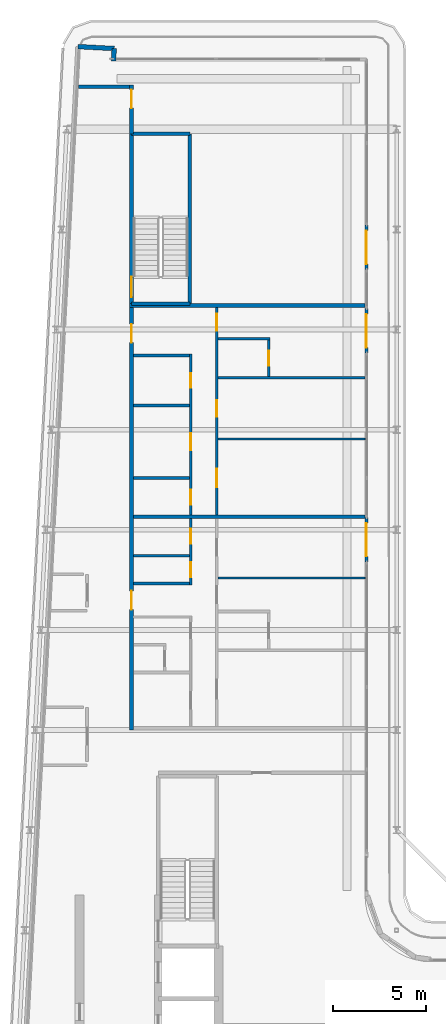
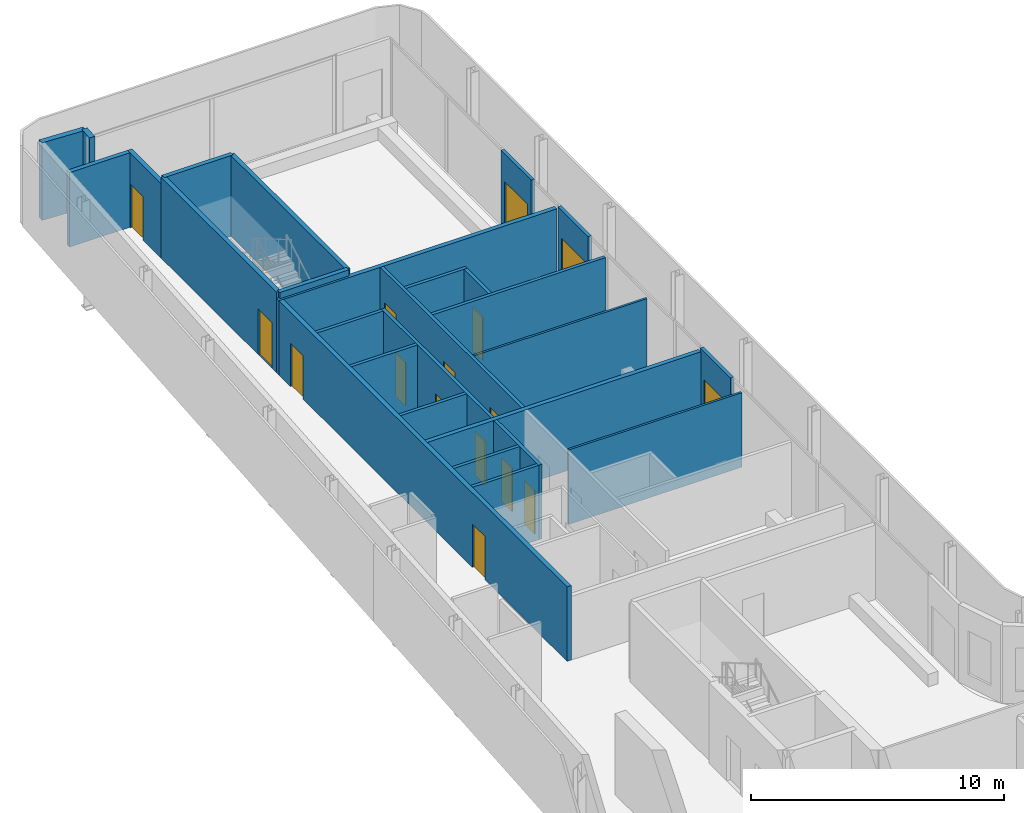
# One storey, part 11 of 19: 27 walls, 16 doors, 16 openings.
"""IFC4 building model written with IfcOpenShell, lengths in metres."""

import ifcopenshell
import ifcopenshell.guid

model = None  # the IFC model being written
_history = None  # IfcOwnerHistory: only IFC2X3 demands one
_inside = {}  # id of a spatial element -> (the spatial element, [elements in it])
_under = {}  # id of a project, library or spatial element -> (it, [spatial elements below it])
_declared = {}  # id of a project -> (the project, [libraries it declares])
_typed = {}  # id of a type object -> (the type object, [elements of that type])
_made_of = {}  # id of a material, layer set ... -> (it, [elements and type objects made of it])


def new_model(schema):
    """Start an empty IFC model of exactly this schema.

    Asked for "IFC4X3", IfcOpenShell would pick the latest addendum, in which some entities
    have other attributes; the version numbers below select the first issue.
    IFC2X3 requires an IfcOwnerHistory on every rooted entity: one is made here for all.
    """
    global model, _history
    if schema == "IFC4X3":
        model = ifcopenshell.file(schema_version=(4, 3, 0, 0))
    else:
        model = ifcopenshell.file(schema=schema)
    _inside.clear()
    _under.clear()
    _declared.clear()
    _typed.clear()
    _made_of.clear()
    _history = None
    if model.schema == "IFC2X3":
        org = make("IfcOrganization", Name="unknown")
        user = make(
            "IfcPersonAndOrganization",
            ThePerson=make("IfcPerson", FamilyName="unknown"),
            TheOrganization=org,
        )
        app = make(
            "IfcApplication",
            ApplicationDeveloper=org,
            Version="unknown",
            ApplicationFullName="unknown",
            ApplicationIdentifier="unknown",
        )
        _history = make(
            "IfcOwnerHistory",
            OwningUser=user,
            OwningApplication=app,
            ChangeAction="ADDED",
            CreationDate=0,
        )
    return model


def make(cls, **values):
    """One entity of the class cls with the attributes given. An attribute that is None is left unset."""
    return model.create_entity(
        cls, **{name: value for name, value in values.items() if value is not None}
    )


def rooted(cls, **values):
    """An entity with a GlobalId (a new one), such as an element, a storey or a relation."""
    return make(cls, GlobalId=ifcopenshell.guid.new(), OwnerHistory=_history, **values)


def si_unit(unit_type, name, prefix=None):
    """IfcSIUnit, for example si_unit("LENGTHUNIT", "METRE", prefix="MILLI")."""
    return make("IfcSIUnit", UnitType=unit_type, Prefix=prefix, Name=name)


def assignment(units):
    """IfcUnitAssignment: the units of a project."""
    return None if units is None else make("IfcUnitAssignment", Units=units)


def point(xyz):
    """IfcCartesianPoint."""
    return None if xyz is None else make("IfcCartesianPoint", Coordinates=xyz)


def direction(xyz):
    """IfcDirection."""
    return None if xyz is None else make("IfcDirection", DirectionRatios=xyz)


def frame(location, z_axis=None, x_axis=None):
    """IfcAxis2Placement3D, a coordinate frame: its origin and axes. An axis left out is left unset."""
    return make(
        "IfcAxis2Placement3D",
        Location=point(location),
        Axis=direction(z_axis),
        RefDirection=direction(x_axis),
    )


def frame_2d(location, x_axis=None):
    """IfcAxis2Placement2D, a coordinate frame in the plane: its origin and x axis."""
    return make(
        "IfcAxis2Placement2D", Location=point(location), RefDirection=direction(x_axis)
    )


def origin():
    """The frame at (0, 0, 0) with its axes left unset."""
    return frame((0.0, 0.0, 0.0))


def place(relative_to, where):
    """IfcLocalPlacement: puts the frame where relative to a parent placement (None: the world)."""
    return make(
        "IfcLocalPlacement", PlacementRelTo=relative_to, RelativePlacement=where
    )


def context(
    kind, dimensions, precision=None, world=None, true_north=None, identifier=None
):
    """IfcGeometricRepresentationContext, for example the 3D "Model" context."""
    return make(
        "IfcGeometricRepresentationContext",
        ContextIdentifier=identifier,
        ContextType=kind,
        CoordinateSpaceDimension=dimensions,
        Precision=precision,
        WorldCoordinateSystem=world,
        TrueNorth=true_north,
    )


def subcontext(parent, identifier, kind, view, scale=None):
    """IfcGeometricRepresentationSubContext, for example "Body" below "Model"."""
    return make(
        "IfcGeometricRepresentationSubContext",
        ContextIdentifier=identifier,
        ContextType=kind,
        ParentContext=parent,
        TargetScale=scale,
        TargetView=view,
    )


def project(units=None, contexts=None):
    """IfcProject with its units and contexts."""
    return rooted(
        "IfcProject",
        Name="project",
        RepresentationContexts=contexts,
        UnitsInContext=assignment(units),
    )


def spatial(cls, under=None, at=None, **own):
    """A site, building, storey or space (cls), placed at a placement, below another one or the project."""
    s = rooted(cls, ObjectPlacement=at, **own)
    if under is not None:
        _under.setdefault(under.id(), (under, []))[1].append(s)
    return s


def profile(cls, at=None, kind="AREA", **sizes):
    """A parametric profile (cls). Its sizes go by their IFC names, for example OverallWidth=200.0."""
    return make(cls, ProfileType=kind, Position=at, **sizes)


def rectangle(**sizes):
    """IfcRectangleProfileDef."""
    return profile("IfcRectangleProfileDef", **sizes)


def extrude(swept, where, along, depth):
    """IfcExtrudedAreaSolid: the profile swept, set in the frame where, extruded along a direction by depth."""
    return make(
        "IfcExtrudedAreaSolid",
        SweptArea=swept,
        Position=where,
        ExtrudedDirection=direction(along),
        Depth=depth,
    )


def shape(context_of_items, identifier, shape_type, items):
    """IfcShapeRepresentation: the items that make up one representation, for example the "Body"."""
    return make(
        "IfcShapeRepresentation",
        ContextOfItems=context_of_items,
        RepresentationIdentifier=identifier,
        RepresentationType=shape_type,
        Items=items,
    )


def source(mapping_origin, context_of_items, identifier, shape_type, items):
    """IfcRepresentationMap: a shape defined once, which mapped items show again and again."""
    return make(
        "IfcRepresentationMap",
        MappingOrigin=mapping_origin,
        MappedRepresentation=shape(context_of_items, identifier, shape_type, items),
    )


def transform(
    local_origin,
    x_axis=None,
    y_axis=None,
    z_axis=None,
    scale=None,
    scale2=None,
    scale3=None,
    uniform=True,
):
    """IfcCartesianTransformationOperator3D, or its non-uniform kind. x_axis, y_axis, z_axis: its Axis1, 2, 3."""
    if uniform:
        return make(
            "IfcCartesianTransformationOperator3D",
            Axis1=direction(x_axis),
            Axis2=direction(y_axis),
            LocalOrigin=point(local_origin),
            Scale=scale,
            Axis3=direction(z_axis),
        )
    return make(
        "IfcCartesianTransformationOperator3DnonUniform",
        Axis1=direction(x_axis),
        Axis2=direction(y_axis),
        LocalOrigin=point(local_origin),
        Scale=scale,
        Axis3=direction(z_axis),
        Scale2=scale2,
        Scale3=scale3,
    )


def mapped(mapping_source, mapping_target):
    """IfcMappedItem: shows the shape of a source again, moved by a transform."""
    return make(
        "IfcMappedItem", MappingSource=mapping_source, MappingTarget=mapping_target
    )


def material(Name=None, Category=None):
    """IfcMaterial."""
    return make("IfcMaterial", Name=Name, Category=Category)


def layer(
    of_material, thickness, ventilated=None, Name=None, Category=None, Priority=None
):
    """IfcMaterialLayer: one layer of a wall or slab, of a material (None: an air gap)."""
    return make(
        "IfcMaterialLayer",
        Material=of_material,
        LayerThickness=thickness,
        IsVentilated=ventilated,
        Name=Name,
        Category=Category,
        Priority=Priority,
    )


def layer_set(layers, Name=None):
    """IfcMaterialLayerSet."""
    return make("IfcMaterialLayerSet", MaterialLayers=layers, LayerSetName=Name)


def made_of(thing, what):
    """Note that an element or type object is made of a material, layer set ...; save() writes the relation."""
    if what is not None:
        _made_of.setdefault(what.id(), (what, []))[1].append(thing)
    return thing


def type_object(cls, material=None, **own):
    """A type object (cls), such as IfcWallType, which elements share."""
    return made_of(rooted(cls, **own), material)


def element(
    cls,
    number,
    at=None,
    inside=None,
    cuts=None,
    type_object=None,
    material=None,
    context=None,
    identifier="Body",
    shape_type=None,
    held_by="IfcProductDefinitionShape",
    body=None,
    shapes=None,
    **own,
):
    """One element of the class cls, such as IfcWall. Its Tag is "e" and its number.

    at: its placement. inside: the storey or other place that contains it. cuts: it is an
    opening in that element (IfcRelVoidsElement). A single representation is given by context,
    identifier, shape_type and body (its items); several are given by shapes. held_by: the class
    of the entity that holds the representations. save() writes the other relations.
    """
    e = rooted(cls, Tag="e%d" % number, ObjectPlacement=at, **own)
    if body is not None:
        shapes = [shape(context, identifier, shape_type, body)]
    if shapes is not None:
        e.Representation = make(held_by, Representations=shapes)
    if inside is not None:
        _inside.setdefault(inside.id(), (inside, []))[1].append(e)
    if cuts is not None:
        rooted(
            "IfcRelVoidsElement", RelatingBuildingElement=cuts, RelatedOpeningElement=e
        )
    if type_object is not None:
        _typed.setdefault(type_object.id(), (type_object, []))[1].append(e)
    return made_of(e, material)


def fill(opening, filler):
    """IfcRelFillsElement: the door or window that sits in an opening."""
    return rooted(
        "IfcRelFillsElement",
        RelatingOpeningElement=opening,
        RelatedBuildingElement=filler,
    )


def aggregate(whole, parts):
    """IfcRelAggregates: a whole, such as a stair, and the parts it consists of."""
    return rooted("IfcRelAggregates", RelatingObject=whole, RelatedObjects=parts)


def save(model, path):
    """Write the relations noted so far, then the file.

    IfcRelAggregates (storeys below a building ...), IfcRelContainedInSpatialStructure (elements
    in a storey), IfcRelDefinesByType, IfcRelAssociatesMaterial and IfcRelDeclares: one each for
    every whole, place, type object, material and project.
    """
    for whole, parts in _under.values():
        aggregate(whole, parts)
    for where, things in _inside.values():
        rooted(
            "IfcRelContainedInSpatialStructure",
            RelatedElements=things,
            RelatingStructure=where,
        )
    for kind, things in _typed.values():
        rooted("IfcRelDefinesByType", RelatedObjects=things, RelatingType=kind)
    for what, things in _made_of.values():
        rooted("IfcRelAssociatesMaterial", RelatedObjects=things, RelatingMaterial=what)
    for by, libraries in _declared.values():
        rooted("IfcRelDeclares", RelatingContext=by, RelatedDefinitions=libraries)
    model.write(path)


model = new_model("IFC4")

# Units and contexts
model_context = context("Model", 3, precision=1e-05, world=origin(), true_north=direction((0.0, 1.0)))
body_context = subcontext(model_context, "Body", "Model", "MODEL_VIEW")
ifc_project = project(units=[si_unit("LENGTHUNIT", "METRE"), si_unit("AREAUNIT", "SQUARE_METRE"), si_unit("VOLUMEUNIT", "CUBIC_METRE"), si_unit("PLANEANGLEUNIT", "RADIAN"), si_unit("MASSUNIT", "GRAM", prefix="KILO")], contexts=[model_context])

# Site, building, storey
site_placement = place(None, origin())
site = spatial("IfcSite", under=ifc_project, at=site_placement, CompositionType="ELEMENT")
building_placement = place(site_placement, origin())
building = spatial("IfcBuilding", under=site, at=building_placement, Name="Kheshtan School and Residences Tower", CompositionType="ELEMENT")
storey_placement = place(building_placement, frame((0.0, 0.0, 350.0)))
storey = spatial("IfcBuildingStorey", under=building, at=storey_placement, Name="L82", CompositionType="ELEMENT", Elevation=350.0)

# Wall
ifc_material_1 = material(Name="Gypsum board on steel studs with fire boards", Category="steel")
ifc_layer_1 = layer(ifc_material_1, 0.199951171875)
ifc_layer_set_1 = layer_set([ifc_layer_1], Name="Corridor wall 200")
wall_type_1 = type_object("IfcWallType", Name="Corridor wall 200", PredefinedType="PARTITIONING", material=ifc_layer_set_1)
wall_1_placement = place(storey_placement, frame((30.432373046875, 91.10009765625, 0.0), z_axis=(0.0, 0.0, 1.0), x_axis=(1.0, 0.0, 0.0)))
element("IfcWall", 1, at=wall_1_placement, inside=storey, type_object=wall_type_1, Name="Partition L82-001", PredefinedType="PARTITIONING", context=body_context, shape_type="SweptSolid", body=[
    extrude(rectangle(XDim=2.767578125, YDim=0.199951171875, at=frame_2d((1.3837890625, 0.0))), origin(), (0.0, 0.0, 1.0), 3.60009765625),
])

# Wall, openings, doors
wall_2_placement = place(storey_placement, frame((33.300048828125, 56.39990234375, 0.0), z_axis=(0.0, 0.0, 1.0), x_axis=(0.0, 1.0, 0.0)))
wall_2 = element("IfcWall", 2, at=wall_2_placement, inside=storey, type_object=wall_type_1, Name="Partition L82-003", PredefinedType="PARTITIONING", context=body_context, shape_type="SweptSolid", body=[
    extrude(rectangle(XDim=22.800048828125, YDim=0.199951171875, at=frame_2d((11.39990234375, 0.0))), origin(), (0.0, 0.0, 1.0), 3.60009765625),
])
opening_1_placement = place(wall_2_placement, frame((6.5, 0.0, 0.0)))
opening_1 = element("IfcOpeningElement", 3, at=opening_1_placement, cuts=wall_2, Name="Opening D81-004", PredefinedType="OPENING", context=body_context, shape_type="SweptSolid", body=[
    extrude(rectangle(XDim=1.0, YDim=2.10009765625, at=frame_2d((0.5, 1.050048828125))), frame((0.0, 0.10986328125, 0.0), z_axis=(0.0, -1.0, 0.0), x_axis=(1.0, 0.0, 0.0)), (0.0, 0.0, 1.0), 0.219970703125),
])
opening_2_placement = place(wall_2_placement, frame((20.89990234375, 0.0, 0.0)))
opening_2 = element("IfcOpeningElement", 4, at=opening_2_placement, cuts=wall_2, Name="Opening D81-014", PredefinedType="OPENING", context=body_context, shape_type="SweptSolid", body=[
    extrude(rectangle(XDim=1.0, YDim=2.10009765625, at=frame_2d((0.5, 1.050048828125))), frame((0.0, 0.10986328125, 0.0), z_axis=(0.0, -1.0, 0.0), x_axis=(1.0, 0.0, 0.0)), (0.0, 0.0, 1.0), 0.219970703125),
])
ifc_material_2 = material(Name="Steel-framed fire-resisting door leaf", Category="steel")
door_type_1 = type_object("IfcDoorType", Name="Fire door FD30S 1000 x 2100", OperationType="SINGLE_SWING_LEFT", PredefinedType="DOOR", material=ifc_material_2)
shared_shape_1 = source(origin(), body_context, "Body", "SweptSolid", [
    extrude(rectangle(XDim=1.0, YDim=2.10009765625, at=frame_2d((0.5, 1.050048828125))), frame((0.0, 0.02490234375, 0.0), z_axis=(0.0, -1.0, 0.0), x_axis=(1.0, 0.0, 0.0)), (0.0, 0.0, 1.0), 0.050048828125),
])
door_1_placement = place(opening_1_placement, origin())
door_1 = element("IfcDoor", 5, at=door_1_placement, inside=storey, type_object=door_type_1, Name="Door D81-004", OperationType="SINGLE_SWING_RIGHT", OverallHeight=2.10009765625, OverallWidth=1.0, PredefinedType="DOOR", context=body_context, shape_type="MappedRepresentation", body=[
    mapped(shared_shape_1, transform((0.0, 0.0, 0.0), x_axis=(1.0, 0.0, 0.0), y_axis=(0.0, 1.0, 0.0), z_axis=(0.0, 0.0, 1.0), scale=1.0)),
])
fill(opening_1, door_1)
door_2_placement = place(opening_2_placement, origin())
door_2 = element("IfcDoor", 6, at=door_2_placement, inside=storey, type_object=door_type_1, Name="Door D81-014", OperationType="SINGLE_SWING_RIGHT", OverallHeight=2.10009765625, OverallWidth=1.0, PredefinedType="DOOR", context=body_context, shape_type="MappedRepresentation", body=[
    mapped(shared_shape_1, transform((0.0, 0.0, 0.0), x_axis=(1.0, 0.0, 0.0), y_axis=(0.0, 1.0, 0.0), z_axis=(0.0, 0.0, 1.0), scale=1.0)),
])
fill(opening_2, door_2)

# Wall, opening, door
wall_3_placement = place(storey_placement, frame((33.300048828125, 88.56005859375, 0.0), z_axis=(0.0, 0.0, 1.0), x_axis=(0.0, 1.0, 0.0)))
wall_3 = element("IfcWall", 7, at=wall_3_placement, inside=storey, type_object=wall_type_1, Name="Partition L82-004", PredefinedType="PARTITIONING", context=body_context, shape_type="SweptSolid", body=[
    extrude(rectangle(XDim=2.639892578125, YDim=0.199951171875, at=frame_2d((1.31982421875, 0.0))), origin(), (0.0, 0.0, 1.0), 3.60009765625),
])
opening_3_placement = place(wall_3_placement, frame((1.389892578125, 0.0, 0.0)))
opening_3 = element("IfcOpeningElement", 8, at=opening_3_placement, cuts=wall_3, Name="Opening D81-502", PredefinedType="OPENING", context=body_context, shape_type="SweptSolid", body=[
    extrude(rectangle(XDim=1.0, YDim=2.10009765625, at=frame_2d((0.5, 1.050048828125))), frame((0.0, 0.10986328125, 0.0), z_axis=(0.0, -1.0, 0.0), x_axis=(1.0, 0.0, 0.0)), (0.0, 0.0, 1.0), 0.219970703125),
])
door_type_2 = type_object("IfcDoorType", Name="Fire door FD60 1000 x 2100", OperationType="SINGLE_SWING_LEFT", PredefinedType="DOOR", material=ifc_material_2)
shared_shape_2 = source(origin(), body_context, "Body", "SweptSolid", [
    extrude(rectangle(XDim=1.0, YDim=2.10009765625, at=frame_2d((0.5, 1.050048828125))), frame((0.0, 0.02490234375, 0.0), z_axis=(0.0, -1.0, 0.0), x_axis=(1.0, 0.0, 0.0)), (0.0, 0.0, 1.0), 0.050048828125),
])
door_3_placement = place(opening_3_placement, origin())
door_3 = element("IfcDoor", 9, at=door_3_placement, inside=storey, type_object=door_type_2, Name="Door D81-502", OperationType="SINGLE_SWING_RIGHT", OverallHeight=2.10009765625, OverallWidth=1.0, PredefinedType="DOOR", context=body_context, shape_type="MappedRepresentation", body=[
    mapped(shared_shape_2, transform((0.0, 0.0, 0.0), x_axis=(1.0, 0.0, 0.0), y_axis=(0.0, 1.0, 0.0), z_axis=(0.0, 0.0, 1.0), scale=1.0)),
])
fill(opening_3, door_3)

# Walls
ifc_material_3 = material(Name="Concrete C40/50 with ceramic cladding and mineral wool insulation", Category="concrete")
ifc_layer_2 = layer(ifc_material_3, 0.25)
ifc_layer_set_2 = layer_set([ifc_layer_2], Name="External wall 250 ceramic clad")
wall_type_2 = type_object("IfcWallType", Name="External wall 250 ceramic clad", PredefinedType="SOLIDWALL", material=ifc_layer_set_2)
wall_4_placement = place(storey_placement, frame((30.4208984375, 93.263916015625, 0.0), z_axis=(0.0, 0.0, 1.0), x_axis=(0.998577785791, -0.053314216913, 0.0)))
element("IfcWall", 10, at=wall_4_placement, inside=storey, type_object=wall_type_2, Name="External wall L82 1", PredefinedType="SOLIDWALL", context=body_context, shape_type="SweptSolid", body=[
    extrude(rectangle(XDim=1.95068359375, YDim=0.25, at=frame_2d((0.975341796875, 0.0))), origin(), (0.0, 0.0, 1.0), 3.75),
])
wall_5_placement = place(storey_placement, frame((32.368896484375, 93.159912109375, 0.0), z_axis=(0.0, 0.0, 1.0), x_axis=(-0.053729014033, -0.998555553312, 0.0)))
element("IfcWall", 11, at=wall_5_placement, inside=storey, type_object=wall_type_2, Name="External wall L82 2", PredefinedType="SOLIDWALL", context=body_context, shape_type="SweptSolid", body=[
    extrude(rectangle(XDim=0.66796875, YDim=0.25, at=frame_2d((0.333984375, 0.0))), origin(), (0.0, 0.0, 1.0), 3.75),
])

# Wall, opening, door
ifc_material_4 = material(Name="Aluminium frame wall with insulated infill", Category="aluminium")
ifc_layer_3 = layer(ifc_material_4, 0.14990234375)
ifc_layer_set_3 = layer_set([ifc_layer_3], Name="Glazing frame wall 150")
wall_type_3 = type_object("IfcWallType", Name="Glazing frame wall 150", PredefinedType="SOLIDWALL", material=ifc_layer_set_3)
wall_6_placement = place(storey_placement, frame((45.97509765625, 83.632080078125, 0.0), z_axis=(0.0, 0.0, 1.0), x_axis=(0.0, -1.0, 0.0)))
wall_6 = element("IfcWall", 12, at=wall_6_placement, inside=storey, type_object=wall_type_3, Name="Balcony door wall L82 4.1", PredefinedType="SOLIDWALL", context=body_context, shape_type="SweptSolid", body=[
    extrude(rectangle(XDim=2.399169921875, YDim=0.14990234375, at=frame_2d((1.19970703125, 0.0))), origin(), (0.0, 0.0, 1.0), 3.75),
])
opening_4_placement = place(wall_6_placement, frame((0.300048828125, 0.0, 0.0)))
opening_4 = element("IfcOpeningElement", 13, at=opening_4_placement, cuts=wall_6, Name="Opening BD", PredefinedType="OPENING", context=body_context, shape_type="SweptSolid", body=[
    extrude(rectangle(XDim=1.800048828125, YDim=2.39990234375, at=frame_2d((0.89990234375, 1.199951171875))), frame((0.0, 0.0849609375, 0.0), z_axis=(0.0, -1.0, 0.0), x_axis=(1.0, 0.0, 0.0)), (0.0, 0.0, 1.0), 0.169921875),
])
ifc_material_5 = material(Name="Clear low-e glass in thermally broken aluminium frame", Category="aluminium")
door_type_3 = type_object("IfcDoorType", Name="Balcony sliding door", OperationType="SLIDING_TO_LEFT", PredefinedType="DOOR", material=ifc_material_5)
shared_shape_3 = source(origin(), body_context, "Body", "SweptSolid", [
    extrude(rectangle(XDim=1.800048828125, YDim=2.39990234375, at=frame_2d((0.89990234375, 1.199951171875))), frame((0.0, 0.02490234375, 0.0), z_axis=(0.0, -1.0, 0.0), x_axis=(1.0, 0.0, 0.0)), (0.0, 0.0, 1.0), 0.050048828125),
])
door_4_placement = place(opening_4_placement, origin())
door_4 = element("IfcDoor", 14, at=door_4_placement, inside=storey, type_object=door_type_3, Name="Balcony door L82 4.1", OperationType="SLIDING_TO_LEFT", OverallHeight=2.39990234375, OverallWidth=1.800048828125, PredefinedType="DOOR", context=body_context, shape_type="MappedRepresentation", body=[
    mapped(shared_shape_3, transform((0.0, 0.0, 0.0), x_axis=(1.0, 0.0, 0.0), y_axis=(0.0, 1.0, 0.0), z_axis=(0.0, 0.0, 1.0), scale=1.0)),
])
fill(opening_4, door_4)

wall_7_placement = place(storey_placement, frame((45.97509765625, 79.132080078125, 0.0), z_axis=(0.0, 0.0, 1.0), x_axis=(0.0, -1.0, 0.0)))
wall_7 = element("IfcWall", 15, at=wall_7_placement, inside=storey, type_object=wall_type_3, Name="Balcony door wall L82 4.2", PredefinedType="SOLIDWALL", context=body_context, shape_type="SweptSolid", body=[
    extrude(rectangle(XDim=2.399169921875, YDim=0.14990234375, at=frame_2d((1.19970703125, 0.0))), origin(), (0.0, 0.0, 1.0), 3.75),
])
opening_5_placement = place(wall_7_placement, frame((0.300048828125, 0.0, 0.0)))
opening_5 = element("IfcOpeningElement", 16, at=opening_5_placement, cuts=wall_7, Name="Opening BD", PredefinedType="OPENING", context=body_context, shape_type="SweptSolid", body=[
    extrude(rectangle(XDim=1.800048828125, YDim=2.39990234375, at=frame_2d((0.89990234375, 1.199951171875))), frame((0.0, 0.0849609375, 0.0), z_axis=(0.0, -1.0, 0.0), x_axis=(1.0, 0.0, 0.0)), (0.0, 0.0, 1.0), 0.169921875),
])
door_5_placement = place(opening_5_placement, origin())
door_5 = element("IfcDoor", 17, at=door_5_placement, inside=storey, type_object=door_type_3, Name="Balcony door L82 4.2", OperationType="SLIDING_TO_LEFT", OverallHeight=2.39990234375, OverallWidth=1.800048828125, PredefinedType="DOOR", context=body_context, shape_type="MappedRepresentation", body=[
    mapped(shared_shape_3, transform((0.0, 0.0, 0.0), x_axis=(1.0, 0.0, 0.0), y_axis=(0.0, 1.0, 0.0), z_axis=(0.0, 0.0, 1.0), scale=1.0)),
])
fill(opening_5, door_5)

wall_8_placement = place(storey_placement, frame((45.97509765625, 67.864990234375, 0.0), z_axis=(0.0, 0.0, 1.0), x_axis=(0.0, -1.0, 0.0)))
wall_8 = element("IfcWall", 18, at=wall_8_placement, inside=storey, type_object=wall_type_3, Name="Balcony door wall L82 4.3", PredefinedType="SOLIDWALL", context=body_context, shape_type="SweptSolid", body=[
    extrude(rectangle(XDim=2.39990234375, YDim=0.14990234375, at=frame_2d((1.199951171875, 0.0))), origin(), (0.0, 0.0, 1.0), 3.75),
])
opening_6_placement = place(wall_8_placement, frame((0.300048828125, 0.0, 0.0)))
opening_6 = element("IfcOpeningElement", 19, at=opening_6_placement, cuts=wall_8, Name="Opening BD", PredefinedType="OPENING", context=body_context, shape_type="SweptSolid", body=[
    extrude(rectangle(XDim=1.800048828125, YDim=2.39990234375, at=frame_2d((0.89990234375, 1.199951171875))), frame((0.0, 0.0849609375, 0.0), z_axis=(0.0, -1.0, 0.0), x_axis=(1.0, 0.0, 0.0)), (0.0, 0.0, 1.0), 0.169921875),
])
door_6_placement = place(opening_6_placement, origin())
door_6 = element("IfcDoor", 20, at=door_6_placement, inside=storey, type_object=door_type_3, Name="Balcony door L82 4.3", OperationType="SLIDING_TO_LEFT", OverallHeight=2.39990234375, OverallWidth=1.800048828125, PredefinedType="DOOR", context=body_context, shape_type="MappedRepresentation", body=[
    mapped(shared_shape_3, transform((0.0, 0.0, 0.0), x_axis=(1.0, 0.0, 0.0), y_axis=(0.0, 1.0, 0.0), z_axis=(0.0, 0.0, 1.0), scale=1.0)),
])
fill(opening_6, door_6)

# Walls
ifc_material_6 = material(Name="Gypsum board on steel studs", Category="steel")
ifc_layer_4 = layer(ifc_material_6, 0.10009765625)
ifc_layer_set_4 = layer_set([ifc_layer_4], Name="Gypsum partition 100")
wall_type_4 = type_object("IfcWallType", Name="Gypsum partition 100", PredefinedType="PARTITIONING", material=ifc_layer_set_4)
for number, where, z_axis, x_axis, name in (
    (21, (37.97509765625, 64.60009765625, 0.0), (0.0, 0.0, 1.0), (1.0, 0.0, 0.0), "Partition L82-026"),
    (22, (37.97509765625, 72.10009765625, 0.0), (0.0, 0.0, 1.0), (1.0, 0.0, 0.0), "Partition L82-027"),
):
    element("IfcWall", number, at=place(storey_placement, frame(where, z_axis=z_axis, x_axis=x_axis)), inside=storey, type_object=wall_type_4, Name=name, PredefinedType="PARTITIONING", context=body_context, shape_type="SweptSolid", body=[
        extrude(rectangle(XDim=7.9248046875, YDim=0.10009765625, at=frame_2d((3.96240234375, 0.0))), origin(), (0.0, 0.0, 1.0), 3.60009765625),
    ])
ifc_material_7 = material(Name="Concrete C40/50", Category="concrete")
ifc_layer_5 = layer(ifc_material_7, 0.199951171875)
ifc_layer_set_5 = layer_set([ifc_layer_5], Name="Stair enclosure wall 200 Concrete C40/50")
wall_type_5 = type_object("IfcWallType", Name="Stair enclosure wall 200 Concrete C40/50", PredefinedType="SHEAR", material=ifc_layer_set_5)
for number, where, z_axis, x_axis, name in (
    (23, (33.300048828125, 79.39990234375, 0.0), (0.0, 0.0, 1.0), (1.0, 0.0, 0.0), "Stair enclosure wall ST3"),
    (24, (33.300048828125, 88.56005859375, 0.0), (0.0, 0.0, 1.0), (1.0, 0.0, 0.0), "Stair enclosure wall ST3"),
):
    element("IfcWall", number, at=place(storey_placement, frame(where, z_axis=z_axis, x_axis=x_axis)), inside=storey, type_object=wall_type_5, Name=name, PredefinedType="SHEAR", context=body_context, shape_type="SweptSolid", body=[
        extrude(rectangle(XDim=3.14990234375, YDim=0.199951171875, at=frame_2d((1.574951171875, 0.0))), origin(), (0.0, 0.0, 1.0), 3.89990234375),
    ])

# Wall, opening, door
wall_9_placement = place(storey_placement, frame((33.300048828125, 79.39990234375, 0.0), z_axis=(0.0, 0.0, 1.0), x_axis=(0.0, 1.0, 0.0)))
wall_9 = element("IfcWall", 25, at=wall_9_placement, inside=storey, type_object=wall_type_5, Name="Stair enclosure wall ST3", PredefinedType="SHEAR", context=body_context, shape_type="SweptSolid", body=[
    extrude(rectangle(XDim=9.16015625, YDim=0.199951171875, at=frame_2d((4.580078125, 0.0))), origin(), (0.0, 0.0, 1.0), 3.89990234375),
])
opening_7_placement = place(wall_9_placement, frame((0.35009765625, 0.0, 0.0)))
opening_7 = element("IfcOpeningElement", 26, at=opening_7_placement, cuts=wall_9, Name="Opening ST3D", PredefinedType="OPENING", context=body_context, shape_type="SweptSolid", body=[
    extrude(rectangle(XDim=1.10009765625, YDim=2.199951171875, at=frame_2d((0.550048828125, 1.10009765625))), frame((0.0, 0.10986328125, 0.0), z_axis=(0.0, -1.0, 0.0), x_axis=(1.0, 0.0, 0.0)), (0.0, 0.0, 1.0), 0.219970703125),
])
ifc_material_8 = material(Name="Steel door leaf, galvanised", Category="steel")
door_type_4 = type_object("IfcDoorType", Name="Stair door 1100 steel 90 min", OperationType="SINGLE_SWING_LEFT", PredefinedType="DOOR", material=ifc_material_8)
shared_shape_4 = source(origin(), body_context, "Body", "SweptSolid", [
    extrude(rectangle(XDim=1.10009765625, YDim=2.199951171875, at=frame_2d((0.550048828125, 1.10009765625))), frame((0.0, 0.02490234375, 0.0), z_axis=(0.0, -1.0, 0.0), x_axis=(1.0, 0.0, 0.0)), (0.0, 0.0, 1.0), 0.050048828125),
])
door_7_placement = place(opening_7_placement, origin())
door_7 = element("IfcDoor", 27, at=door_7_placement, inside=storey, type_object=door_type_4, Name="Stair ST3 door", OperationType="SINGLE_SWING_RIGHT", OverallHeight=2.199951171875, OverallWidth=1.10009765625, PredefinedType="DOOR", context=body_context, shape_type="MappedRepresentation", body=[
    mapped(shared_shape_4, transform((0.0, 0.0, 0.0), x_axis=(1.0, 0.0, 0.0), y_axis=(0.0, 1.0, 0.0), z_axis=(0.0, 0.0, 1.0), scale=1.0)),
])
fill(opening_7, door_7)

# Walls
wall_10_placement = place(storey_placement, frame((36.449951171875, 79.39990234375, 0.0), z_axis=(0.0, 0.0, 1.0), x_axis=(0.0, 1.0, 0.0)))
element("IfcWall", 28, at=wall_10_placement, inside=storey, type_object=wall_type_5, Name="Stair enclosure wall ST3", PredefinedType="SHEAR", context=body_context, shape_type="SweptSolid", body=[
    extrude(rectangle(XDim=9.16015625, YDim=0.199951171875, at=frame_2d((4.580078125, 0.0))), origin(), (0.0, 0.0, 1.0), 3.89990234375),
])
ifc_material_9 = material(Name="Twin gypsum board on steel studs with mineral wool", Category="steel")
ifc_layer_6 = layer(ifc_material_9, 0.199951171875)
ifc_layer_set_6 = layer_set([ifc_layer_6], Name="Unit demising wall 200")
wall_type_6 = type_object("IfcWallType", Name="Unit demising wall 200", PredefinedType="PARTITIONING", material=ifc_layer_set_6)
wall_11_placement = place(storey_placement, frame((33.199951171875, 79.300048828125, 0.0), z_axis=(0.0, 0.0, 1.0), x_axis=(1.0, 0.0, 0.0)))
element("IfcWall", 29, at=wall_11_placement, inside=storey, type_object=wall_type_6, Name="Partition L82-002", PredefinedType="PARTITIONING", context=body_context, shape_type="SweptSolid", body=[
    extrude(rectangle(XDim=12.699951171875, YDim=0.199951171875, at=frame_2d((6.35009765625, 0.0))), origin(), (0.0, 0.0, 1.0), 3.60009765625),
])
wall_12_placement = place(storey_placement, frame((33.39990234375, 67.89990234375, 0.0), z_axis=(0.0, 0.0, 1.0), x_axis=(1.0, 0.0, 0.0)))
element("IfcWall", 30, at=wall_12_placement, inside=storey, type_object=wall_type_6, Name="Partition L82-011", PredefinedType="PARTITIONING", context=body_context, shape_type="SweptSolid", body=[
    extrude(rectangle(XDim=12.5, YDim=0.199951171875, at=frame_2d((6.25, 0.0))), origin(), (0.0, 0.0, 1.0), 3.60009765625),
])
ifc_material_10 = material(Name="Moisture-resistant gypsum board on steel studs", Category="steel")
ifc_layer_7 = layer(ifc_material_10, 0.14990234375)
ifc_layer_set_7 = layer_set([ifc_layer_7], Name="Wet-room partition 150")
wall_type_7 = type_object("IfcWallType", Name="Wet-room partition 150", PredefinedType="PARTITIONING", material=ifc_layer_set_7)
for number, where, z_axis, x_axis, name in (
    (31, (33.39990234375, 64.300048828125, 0.0), (0.0, 0.0, 1.0), (1.0, 0.0, 0.0), "Partition L82-009"),
    (32, (33.39990234375, 65.800048828125, 0.0), (0.0, 0.0, 1.0), (1.0, 0.0, 0.0), "Partition L82-010"),
    (33, (33.39990234375, 70.0, 0.0), (0.0, 0.0, 1.0), (1.0, 0.0, 0.0), "Partition L82-012"),
    (34, (33.39990234375, 73.89990234375, 0.0), (0.0, 0.0, 1.0), (1.0, 0.0, 0.0), "Partition L82-013"),
    (35, (33.39990234375, 76.60009765625, 0.0), (0.0, 0.0, 1.0), (1.0, 0.0, 0.0), "Partition L82-014"),
):
    element("IfcWall", number, at=place(storey_placement, frame(where, z_axis=z_axis, x_axis=x_axis)), inside=storey, type_object=wall_type_7, Name=name, PredefinedType="PARTITIONING", context=body_context, shape_type="SweptSolid", body=[
        extrude(rectangle(XDim=3.025146484375, YDim=0.14990234375, at=frame_2d((1.5126953125, 0.0))), origin(), (0.0, 0.0, 1.0), 3.60009765625),
    ])

# Wall, openings, doors
wall_13_placement = place(storey_placement, frame((36.5, 64.22509765625, 0.0), z_axis=(0.0, 0.0, 1.0), x_axis=(0.0, 1.0, 0.0)))
wall_13 = element("IfcWall", 36, at=wall_13_placement, inside=storey, type_object=wall_type_7, Name="Partition L82-020", PredefinedType="PARTITIONING", context=body_context, shape_type="SweptSolid", body=[
    extrude(rectangle(XDim=3.574951171875, YDim=0.14990234375, at=frame_2d((1.78759765625, 0.0))), origin(), (0.0, 0.0, 1.0), 3.60009765625),
])
opening_8_placement = place(wall_13_placement, frame((2.22509765625, 0.0, 0.0)))
opening_8 = element("IfcOpeningElement", 37, at=opening_8_placement, cuts=wall_13, Name="Opening D81-001", PredefinedType="OPENING", context=body_context, shape_type="SweptSolid", body=[
    extrude(rectangle(XDim=0.800048828125, YDim=2.10009765625, at=frame_2d((0.39990234375, 1.050048828125))), frame((0.0, 0.0849609375, 0.0), z_axis=(0.0, -1.0, 0.0), x_axis=(1.0, 0.0, 0.0)), (0.0, 0.0, 1.0), 0.169921875),
])
opening_9_placement = place(wall_13_placement, frame((0.425048828125, 0.0, 0.0)))
opening_9 = element("IfcOpeningElement", 38, at=opening_9_placement, cuts=wall_13, Name="Opening D81-010", PredefinedType="OPENING", context=body_context, shape_type="SweptSolid", body=[
    extrude(rectangle(XDim=0.800048828125, YDim=2.10009765625, at=frame_2d((0.39990234375, 1.050048828125))), frame((0.0, 0.0849609375, 0.0), z_axis=(0.0, -1.0, 0.0), x_axis=(1.0, 0.0, 0.0)), (0.0, 0.0, 1.0), 0.169921875),
])
ifc_material_11 = material(Name="Veneered timber door leaf", Category="wood")
door_type_5 = type_object("IfcDoorType", Name="Door 800 x 2100", OperationType="SINGLE_SWING_LEFT", PredefinedType="DOOR", material=ifc_material_11)
shared_shape_5 = source(origin(), body_context, "Body", "SweptSolid", [
    extrude(rectangle(XDim=0.800048828125, YDim=2.10009765625, at=frame_2d((0.39990234375, 1.050048828125))), frame((0.0, 0.02490234375, 0.0), z_axis=(0.0, -1.0, 0.0), x_axis=(1.0, 0.0, 0.0)), (0.0, 0.0, 1.0), 0.050048828125),
])
door_8_placement = place(opening_8_placement, origin())
door_8 = element("IfcDoor", 39, at=door_8_placement, inside=storey, type_object=door_type_5, Name="Door D81-001", OperationType="SINGLE_SWING_RIGHT", OverallHeight=2.10009765625, OverallWidth=0.800048828125, PredefinedType="DOOR", context=body_context, shape_type="MappedRepresentation", body=[
    mapped(shared_shape_5, transform((0.0, 0.0, 0.0), x_axis=(1.0, 0.0, 0.0), y_axis=(0.0, 1.0, 0.0), z_axis=(0.0, 0.0, 1.0), scale=1.0)),
])
fill(opening_8, door_8)
door_9_placement = place(opening_9_placement, origin())
door_9 = element("IfcDoor", 40, at=door_9_placement, inside=storey, type_object=door_type_5, Name="Door D81-010", OperationType="SINGLE_SWING_RIGHT", OverallHeight=2.10009765625, OverallWidth=0.800048828125, PredefinedType="DOOR", context=body_context, shape_type="MappedRepresentation", body=[
    mapped(shared_shape_5, transform((0.0, 0.0, 0.0), x_axis=(1.0, 0.0, 0.0), y_axis=(0.0, 1.0, 0.0), z_axis=(0.0, 0.0, 1.0), scale=1.0)),
])
fill(opening_9, door_9)

wall_14_placement = place(storey_placement, frame((36.5, 68.0, 0.0), z_axis=(0.0, 0.0, 1.0), x_axis=(0.0, 1.0, 0.0)))
wall_14 = element("IfcWall", 41, at=wall_14_placement, inside=storey, type_object=wall_type_7, Name="Partition L82-021", PredefinedType="PARTITIONING", context=body_context, shape_type="SweptSolid", body=[
    extrude(rectangle(XDim=8.675048828125, YDim=0.14990234375, at=frame_2d((4.33740234375, 0.0))), origin(), (0.0, 0.0, 1.0), 3.60009765625),
])
opening_10_placement = place(wall_14_placement, frame((6.85009765625, 0.0, 0.0)))
opening_10 = element("IfcOpeningElement", 42, at=opening_10_placement, cuts=wall_14, Name="Opening D81-011", PredefinedType="OPENING", context=body_context, shape_type="SweptSolid", body=[
    extrude(rectangle(XDim=0.800048828125, YDim=2.10009765625, at=frame_2d((0.39990234375, 1.050048828125))), frame((0.0, 0.0849609375, 0.0), z_axis=(0.0, -1.0, 0.0), x_axis=(1.0, 0.0, 0.0)), (0.0, 0.0, 1.0), 0.169921875),
])
opening_11_placement = place(wall_14_placement, frame((3.5, 0.0, 0.0)))
opening_11 = element("IfcOpeningElement", 43, at=opening_11_placement, cuts=wall_14, Name="Opening D81-015", PredefinedType="OPENING", context=body_context, shape_type="SweptSolid", body=[
    extrude(rectangle(XDim=0.89990234375, YDim=2.10009765625, at=frame_2d((0.449951171875, 1.050048828125))), frame((0.0, 0.0849609375, 0.0), z_axis=(0.0, -1.0, 0.0), x_axis=(1.0, 0.0, 0.0)), (0.0, 0.0, 1.0), 0.169921875),
])
opening_12_placement = place(wall_14_placement, frame((0.550048828125, 0.0, 0.0)))
opening_12 = element("IfcOpeningElement", 44, at=opening_12_placement, cuts=wall_14, Name="Opening D81-018", PredefinedType="OPENING", context=body_context, shape_type="SweptSolid", body=[
    extrude(rectangle(XDim=0.800048828125, YDim=2.10009765625, at=frame_2d((0.39990234375, 1.050048828125))), frame((0.0, 0.0849609375, 0.0), z_axis=(0.0, -1.0, 0.0), x_axis=(1.0, 0.0, 0.0)), (0.0, 0.0, 1.0), 0.169921875),
])
door_10_placement = place(opening_10_placement, origin())
door_10 = element("IfcDoor", 45, at=door_10_placement, inside=storey, type_object=door_type_5, Name="Door D81-011", OperationType="SINGLE_SWING_RIGHT", OverallHeight=2.10009765625, OverallWidth=0.800048828125, PredefinedType="DOOR", context=body_context, shape_type="MappedRepresentation", body=[
    mapped(shared_shape_5, transform((0.0, 0.0, 0.0), x_axis=(1.0, 0.0, 0.0), y_axis=(0.0, 1.0, 0.0), z_axis=(0.0, 0.0, 1.0), scale=1.0)),
])
fill(opening_10, door_10)
door_11_placement = place(opening_12_placement, origin())
door_11 = element("IfcDoor", 46, at=door_11_placement, inside=storey, type_object=door_type_5, Name="Door D81-018", OperationType="SINGLE_SWING_RIGHT", OverallHeight=2.10009765625, OverallWidth=0.800048828125, PredefinedType="DOOR", context=body_context, shape_type="MappedRepresentation", body=[
    mapped(shared_shape_5, transform((0.0, 0.0, 0.0), x_axis=(1.0, 0.0, 0.0), y_axis=(0.0, 1.0, 0.0), z_axis=(0.0, 0.0, 1.0), scale=1.0)),
])
fill(opening_12, door_11)
door_type_6 = type_object("IfcDoorType", Name="Door 900 x 2100", OperationType="SINGLE_SWING_LEFT", PredefinedType="DOOR", material=ifc_material_11)
shared_shape_6 = source(origin(), body_context, "Body", "SweptSolid", [
    extrude(rectangle(XDim=0.89990234375, YDim=2.10009765625, at=frame_2d((0.449951171875, 1.050048828125))), frame((0.0, 0.02490234375, 0.0), z_axis=(0.0, -1.0, 0.0), x_axis=(1.0, 0.0, 0.0)), (0.0, 0.0, 1.0), 0.050048828125),
])
door_12_placement = place(opening_11_placement, origin())
door_12 = element("IfcDoor", 47, at=door_12_placement, inside=storey, type_object=door_type_6, Name="Door D81-015", OperationType="SINGLE_SWING_LEFT", OverallHeight=2.10009765625, OverallWidth=0.89990234375, PredefinedType="DOOR", context=body_context, shape_type="MappedRepresentation", body=[
    mapped(shared_shape_6, transform((0.0, 0.0, 0.0), x_axis=(1.0, 0.0, 0.0), y_axis=(0.0, 1.0, 0.0), z_axis=(0.0, 0.0, 1.0), scale=1.0)),
])
fill(opening_11, door_12)

wall_15_placement = place(storey_placement, frame((37.89990234375, 68.0, 0.0), z_axis=(0.0, 0.0, 1.0), x_axis=(0.0, 1.0, 0.0)))
wall_15 = element("IfcWall", 48, at=wall_15_placement, inside=storey, type_object=wall_type_7, Name="Partition L82-023", PredefinedType="PARTITIONING", context=body_context, shape_type="SweptSolid", body=[
    extrude(rectangle(XDim=11.199951171875, YDim=0.14990234375, at=frame_2d((5.60009765625, 0.0))), origin(), (0.0, 0.0, 1.0), 3.60009765625),
])
opening_13_placement = place(wall_15_placement, frame((5.300048828125, 0.0, 0.0)))
opening_13 = element("IfcOpeningElement", 49, at=opening_13_placement, cuts=wall_15, Name="Opening D81-012", PredefinedType="OPENING", context=body_context, shape_type="SweptSolid", body=[
    extrude(rectangle(XDim=0.89990234375, YDim=2.10009765625, at=frame_2d((0.449951171875, 1.050048828125))), frame((0.0, 0.0849609375, 0.0), z_axis=(0.0, -1.0, 0.0), x_axis=(1.0, 0.0, 0.0)), (0.0, 0.0, 1.0), 0.169921875),
])
opening_14_placement = place(wall_15_placement, frame((1.5, 0.0, 0.0)))
opening_14 = element("IfcOpeningElement", 50, at=opening_14_placement, cuts=wall_15, Name="Opening D81-016", PredefinedType="OPENING", context=body_context, shape_type="SweptSolid", body=[
    extrude(rectangle(XDim=1.0, YDim=2.10009765625, at=frame_2d((0.5, 1.050048828125))), frame((0.0, 0.0849609375, 0.0), z_axis=(0.0, -1.0, 0.0), x_axis=(1.0, 0.0, 0.0)), (0.0, 0.0, 1.0), 0.169921875),
])
opening_15_placement = place(wall_15_placement, frame((9.949951171875, 0.0, 0.0)))
opening_15 = element("IfcOpeningElement", 51, at=opening_15_placement, cuts=wall_15, Name="Opening D81-017", PredefinedType="OPENING", context=body_context, shape_type="SweptSolid", body=[
    extrude(rectangle(XDim=0.89990234375, YDim=2.10009765625, at=frame_2d((0.449951171875, 1.050048828125))), frame((0.0, 0.0849609375, 0.0), z_axis=(0.0, -1.0, 0.0), x_axis=(1.0, 0.0, 0.0)), (0.0, 0.0, 1.0), 0.169921875),
])
door_type_7 = type_object("IfcDoorType", Name="Door 1000 x 2100", OperationType="SINGLE_SWING_LEFT", PredefinedType="DOOR", material=ifc_material_11)
shared_shape_7 = source(origin(), body_context, "Body", "SweptSolid", [
    extrude(rectangle(XDim=1.0, YDim=2.10009765625, at=frame_2d((0.5, 1.050048828125))), frame((0.0, 0.02490234375, 0.0), z_axis=(0.0, -1.0, 0.0), x_axis=(1.0, 0.0, 0.0)), (0.0, 0.0, 1.0), 0.050048828125),
])
door_13_placement = place(opening_14_placement, origin())
door_13 = element("IfcDoor", 52, at=door_13_placement, inside=storey, type_object=door_type_7, Name="Door D81-016", OperationType="SINGLE_SWING_LEFT", OverallHeight=2.10009765625, OverallWidth=1.0, PredefinedType="DOOR", context=body_context, shape_type="MappedRepresentation", body=[
    mapped(shared_shape_7, transform((0.0, 0.0, 0.0), x_axis=(1.0, 0.0, 0.0), y_axis=(0.0, 1.0, 0.0), z_axis=(0.0, 0.0, 1.0), scale=1.0)),
])
fill(opening_14, door_13)
door_14_placement = place(opening_13_placement, origin())
door_14 = element("IfcDoor", 53, at=door_14_placement, inside=storey, type_object=door_type_6, Name="Door D81-012", OperationType="SINGLE_SWING_LEFT", OverallHeight=2.10009765625, OverallWidth=0.89990234375, PredefinedType="DOOR", context=body_context, shape_type="MappedRepresentation", body=[
    mapped(shared_shape_6, transform((0.0, 0.0, 0.0), x_axis=(1.0, 0.0, 0.0), y_axis=(0.0, 1.0, 0.0), z_axis=(0.0, 0.0, 1.0), scale=1.0)),
])
fill(opening_13, door_14)
door_15_placement = place(opening_15_placement, origin())
door_15 = element("IfcDoor", 54, at=door_15_placement, inside=storey, type_object=door_type_6, Name="Door D81-017", OperationType="SINGLE_SWING_RIGHT", OverallHeight=2.10009765625, OverallWidth=0.89990234375, PredefinedType="DOOR", context=body_context, shape_type="MappedRepresentation", body=[
    mapped(shared_shape_6, transform((0.0, 0.0, 0.0), x_axis=(1.0, 0.0, 0.0), y_axis=(0.0, 1.0, 0.0), z_axis=(0.0, 0.0, 1.0), scale=1.0)),
])
fill(opening_15, door_15)

# Walls
wall_16_placement = place(storey_placement, frame((37.97509765625, 75.39990234375, 0.0), z_axis=(0.0, 0.0, 1.0), x_axis=(1.0, 0.0, 0.0)))
element("IfcWall", 55, at=wall_16_placement, inside=storey, type_object=wall_type_7, Name="Partition L82-028", PredefinedType="PARTITIONING", context=body_context, shape_type="SweptSolid", body=[
    extrude(rectangle(XDim=7.9248046875, YDim=0.14990234375, at=frame_2d((3.96240234375, 0.0))), origin(), (0.0, 0.0, 1.0), 3.60009765625),
])
wall_17_placement = place(storey_placement, frame((37.97509765625, 77.5, 0.0), z_axis=(0.0, 0.0, 1.0), x_axis=(1.0, 0.0, 0.0)))
element("IfcWall", 56, at=wall_17_placement, inside=storey, type_object=wall_type_7, Name="Partition L82-029", PredefinedType="PARTITIONING", context=body_context, shape_type="SweptSolid", body=[
    extrude(rectangle(XDim=2.7998046875, YDim=0.14990234375, at=frame_2d((1.39990234375, 0.0))), origin(), (0.0, 0.0, 1.0), 3.60009765625),
])

# Wall, opening, door
wall_18_placement = place(storey_placement, frame((40.699951171875, 75.47509765625, 0.0), z_axis=(0.0, 0.0, 1.0), x_axis=(0.0, 1.0, 0.0)))
wall_18 = element("IfcWall", 57, at=wall_18_placement, inside=storey, type_object=wall_type_7, Name="Partition L82-032", PredefinedType="PARTITIONING", context=body_context, shape_type="SweptSolid", body=[
    extrude(rectangle(XDim=1.949951171875, YDim=0.14990234375, at=frame_2d((0.97509765625, 0.0))), origin(), (0.0, 0.0, 1.0), 3.60009765625),
])
opening_16_placement = place(wall_18_placement, frame((0.574951171875, 0.0, 0.0)))
opening_16 = element("IfcOpeningElement", 58, at=opening_16_placement, cuts=wall_18, Name="Opening D81-013", PredefinedType="OPENING", context=body_context, shape_type="SweptSolid", body=[
    extrude(rectangle(XDim=0.800048828125, YDim=2.10009765625, at=frame_2d((0.39990234375, 1.050048828125))), frame((0.0, 0.0849609375, 0.0), z_axis=(0.0, -1.0, 0.0), x_axis=(1.0, 0.0, 0.0)), (0.0, 0.0, 1.0), 0.169921875),
])
door_16_placement = place(opening_16_placement, origin())
door_16 = element("IfcDoor", 59, at=door_16_placement, inside=storey, type_object=door_type_5, Name="Door D81-013", OperationType="SINGLE_SWING_RIGHT", OverallHeight=2.10009765625, OverallWidth=0.800048828125, PredefinedType="DOOR", context=body_context, shape_type="MappedRepresentation", body=[
    mapped(shared_shape_5, transform((0.0, 0.0, 0.0), x_axis=(1.0, 0.0, 0.0), y_axis=(0.0, 1.0, 0.0), z_axis=(0.0, 0.0, 1.0), scale=1.0)),
])
fill(opening_16, door_16)

save(model, "model.ifc")
